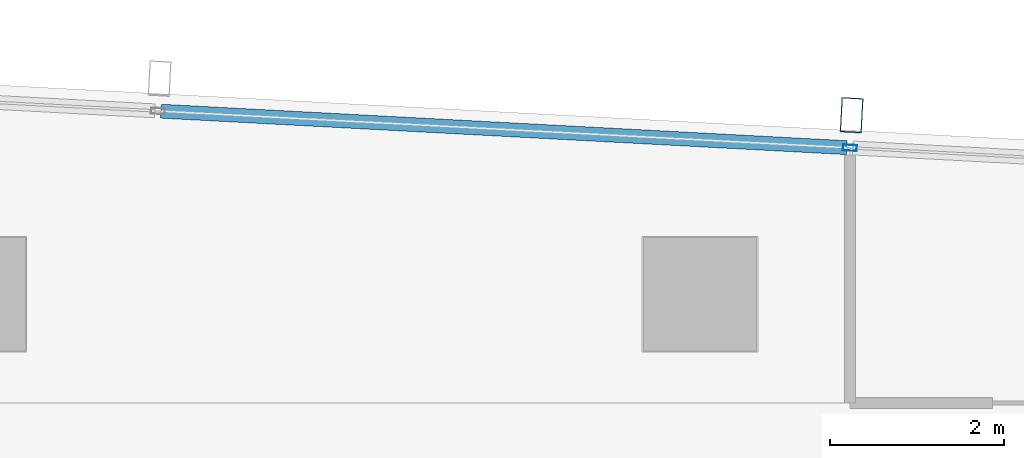
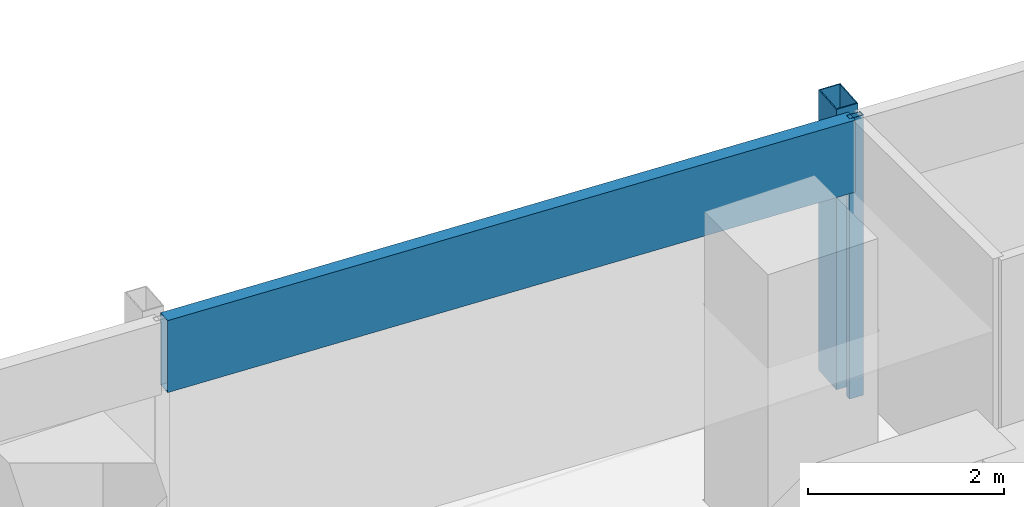
# One storey, part 19 of 30: 3 members, 1 element without a shape of its own.
"""IFC4 building model written with IfcOpenShell, lengths in metres."""

import ifcopenshell
import ifcopenshell.guid

model = None  # the IFC model being written
_history = None  # IfcOwnerHistory: only IFC2X3 demands one
_inside = {}  # id of a spatial element -> (the spatial element, [elements in it])
_under = {}  # id of a project, library or spatial element -> (it, [spatial elements below it])
_declared = {}  # id of a project -> (the project, [libraries it declares])
_typed = {}  # id of a type object -> (the type object, [elements of that type])
_made_of = {}  # id of a material, layer set ... -> (it, [elements and type objects made of it])


def new_model(schema):
    """Start an empty IFC model of exactly this schema.

    Asked for "IFC4X3", IfcOpenShell would pick the latest addendum, in which some entities
    have other attributes; the version numbers below select the first issue.
    IFC2X3 requires an IfcOwnerHistory on every rooted entity: one is made here for all.
    """
    global model, _history
    if schema == "IFC4X3":
        model = ifcopenshell.file(schema_version=(4, 3, 0, 0))
    else:
        model = ifcopenshell.file(schema=schema)
    _inside.clear()
    _under.clear()
    _declared.clear()
    _typed.clear()
    _made_of.clear()
    _history = None
    if model.schema == "IFC2X3":
        org = make("IfcOrganization", Name="unknown")
        user = make(
            "IfcPersonAndOrganization",
            ThePerson=make("IfcPerson", FamilyName="unknown"),
            TheOrganization=org,
        )
        app = make(
            "IfcApplication",
            ApplicationDeveloper=org,
            Version="unknown",
            ApplicationFullName="unknown",
            ApplicationIdentifier="unknown",
        )
        _history = make(
            "IfcOwnerHistory",
            OwningUser=user,
            OwningApplication=app,
            ChangeAction="ADDED",
            CreationDate=0,
        )
    return model


def make(cls, **values):
    """One entity of the class cls with the attributes given. An attribute that is None is left unset."""
    return model.create_entity(
        cls, **{name: value for name, value in values.items() if value is not None}
    )


def rooted(cls, **values):
    """An entity with a GlobalId (a new one), such as an element, a storey or a relation."""
    return make(cls, GlobalId=ifcopenshell.guid.new(), OwnerHistory=_history, **values)


def si_unit(unit_type, name, prefix=None):
    """IfcSIUnit, for example si_unit("LENGTHUNIT", "METRE", prefix="MILLI")."""
    return make("IfcSIUnit", UnitType=unit_type, Prefix=prefix, Name=name)


def assignment(units):
    """IfcUnitAssignment: the units of a project."""
    return None if units is None else make("IfcUnitAssignment", Units=units)


def point(xyz):
    """IfcCartesianPoint."""
    return None if xyz is None else make("IfcCartesianPoint", Coordinates=xyz)


def direction(xyz):
    """IfcDirection."""
    return None if xyz is None else make("IfcDirection", DirectionRatios=xyz)


def frame(location, z_axis=None, x_axis=None):
    """IfcAxis2Placement3D, a coordinate frame: its origin and axes. An axis left out is left unset."""
    return make(
        "IfcAxis2Placement3D",
        Location=point(location),
        Axis=direction(z_axis),
        RefDirection=direction(x_axis),
    )


def frame_2d(location, x_axis=None):
    """IfcAxis2Placement2D, a coordinate frame in the plane: its origin and x axis."""
    return make(
        "IfcAxis2Placement2D", Location=point(location), RefDirection=direction(x_axis)
    )


def origin():
    """The frame at (0, 0, 0) with its axes left unset."""
    return frame((0.0, 0.0, 0.0))


def origin_2d():
    """The frame at (0, 0) in the plane with its x axis left unset."""
    return frame_2d((0.0, 0.0))


def place(relative_to, where):
    """IfcLocalPlacement: puts the frame where relative to a parent placement (None: the world)."""
    return make(
        "IfcLocalPlacement", PlacementRelTo=relative_to, RelativePlacement=where
    )


def context(
    kind, dimensions, precision=None, world=None, true_north=None, identifier=None
):
    """IfcGeometricRepresentationContext, for example the 3D "Model" context."""
    return make(
        "IfcGeometricRepresentationContext",
        ContextIdentifier=identifier,
        ContextType=kind,
        CoordinateSpaceDimension=dimensions,
        Precision=precision,
        WorldCoordinateSystem=world,
        TrueNorth=true_north,
    )


def subcontext(parent, identifier, kind, view, scale=None):
    """IfcGeometricRepresentationSubContext, for example "Body" below "Model"."""
    return make(
        "IfcGeometricRepresentationSubContext",
        ContextIdentifier=identifier,
        ContextType=kind,
        ParentContext=parent,
        TargetScale=scale,
        TargetView=view,
    )


def project(units=None, contexts=None):
    """IfcProject with its units and contexts."""
    return rooted(
        "IfcProject",
        Name="project",
        RepresentationContexts=contexts,
        UnitsInContext=assignment(units),
    )


def spatial(cls, under=None, at=None, **own):
    """A site, building, storey or space (cls), placed at a placement, below another one or the project."""
    s = rooted(cls, ObjectPlacement=at, **own)
    if under is not None:
        _under.setdefault(under.id(), (under, []))[1].append(s)
    return s


def profile(cls, at=None, kind="AREA", **sizes):
    """A parametric profile (cls). Its sizes go by their IFC names, for example OverallWidth=200.0."""
    return make(cls, ProfileType=kind, Position=at, **sizes)


def hollow_rectangle(**sizes):
    """IfcRectangleHollowProfileDef."""
    return profile("IfcRectangleHollowProfileDef", **sizes)


def extrude(swept, where, along, depth):
    """IfcExtrudedAreaSolid: the profile swept, set in the frame where, extruded along a direction by depth."""
    return make(
        "IfcExtrudedAreaSolid",
        SweptArea=swept,
        Position=where,
        ExtrudedDirection=direction(along),
        Depth=depth,
    )


def shape(context_of_items, identifier, shape_type, items):
    """IfcShapeRepresentation: the items that make up one representation, for example the "Body"."""
    return make(
        "IfcShapeRepresentation",
        ContextOfItems=context_of_items,
        RepresentationIdentifier=identifier,
        RepresentationType=shape_type,
        Items=items,
    )


def material(Name=None, Category=None):
    """IfcMaterial."""
    return make("IfcMaterial", Name=Name, Category=Category)


def material_profile(
    of_material, cross_section, Name=None, Category=None, Priority=None
):
    """IfcMaterialProfile: a cross section and its material."""
    return make(
        "IfcMaterialProfile",
        Name=Name,
        Material=of_material,
        Profile=cross_section,
        Priority=Priority,
        Category=Category,
    )


def profile_set(profiles, Name=None, composite=None):
    """IfcMaterialProfileSet."""
    return make(
        "IfcMaterialProfileSet",
        Name=Name,
        MaterialProfiles=profiles,
        CompositeProfile=composite,
    )


def made_of(thing, what):
    """Note that an element or type object is made of a material, layer set ...; save() writes the relation."""
    if what is not None:
        _made_of.setdefault(what.id(), (what, []))[1].append(thing)
    return thing


def type_object(cls, material=None, **own):
    """A type object (cls), such as IfcWallType, which elements share."""
    return made_of(rooted(cls, **own), material)


def element(
    cls,
    number,
    at=None,
    inside=None,
    cuts=None,
    type_object=None,
    material=None,
    context=None,
    identifier="Body",
    shape_type=None,
    held_by="IfcProductDefinitionShape",
    body=None,
    shapes=None,
    **own,
):
    """One element of the class cls, such as IfcWall. Its Tag is "e" and its number.

    at: its placement. inside: the storey or other place that contains it. cuts: it is an
    opening in that element (IfcRelVoidsElement). A single representation is given by context,
    identifier, shape_type and body (its items); several are given by shapes. held_by: the class
    of the entity that holds the representations. save() writes the other relations.
    """
    e = rooted(cls, Tag="e%d" % number, ObjectPlacement=at, **own)
    if body is not None:
        shapes = [shape(context, identifier, shape_type, body)]
    if shapes is not None:
        e.Representation = make(held_by, Representations=shapes)
    if inside is not None:
        _inside.setdefault(inside.id(), (inside, []))[1].append(e)
    if cuts is not None:
        rooted(
            "IfcRelVoidsElement", RelatingBuildingElement=cuts, RelatedOpeningElement=e
        )
    if type_object is not None:
        _typed.setdefault(type_object.id(), (type_object, []))[1].append(e)
    return made_of(e, material)


def aggregate(whole, parts):
    """IfcRelAggregates: a whole, such as a stair, and the parts it consists of."""
    return rooted("IfcRelAggregates", RelatingObject=whole, RelatedObjects=parts)


def save(model, path):
    """Write the relations noted so far, then the file.

    IfcRelAggregates (storeys below a building ...), IfcRelContainedInSpatialStructure (elements
    in a storey), IfcRelDefinesByType, IfcRelAssociatesMaterial and IfcRelDeclares: one each for
    every whole, place, type object, material and project.
    """
    for whole, parts in _under.values():
        aggregate(whole, parts)
    for where, things in _inside.values():
        rooted(
            "IfcRelContainedInSpatialStructure",
            RelatedElements=things,
            RelatingStructure=where,
        )
    for kind, things in _typed.values():
        rooted("IfcRelDefinesByType", RelatedObjects=things, RelatingType=kind)
    for what, things in _made_of.values():
        rooted("IfcRelAssociatesMaterial", RelatedObjects=things, RelatingMaterial=what)
    for by, libraries in _declared.values():
        rooted("IfcRelDeclares", RelatingContext=by, RelatedDefinitions=libraries)
    model.write(path)


model = new_model("IFC4")

# Units and contexts
model_context = context("Model", 3, precision=1e-05, world=origin(), true_north=direction((0.0, 1.0)))
body_context = subcontext(model_context, "Body", "Model", "MODEL_VIEW")
ifc_project = project(units=[si_unit("LENGTHUNIT", "METRE"), si_unit("AREAUNIT", "SQUARE_METRE"), si_unit("VOLUMEUNIT", "CUBIC_METRE"), si_unit("PLANEANGLEUNIT", "RADIAN"), si_unit("MASSUNIT", "GRAM", prefix="KILO")], contexts=[model_context])

# Site, building, storey
site_placement = place(None, origin())
site = spatial("IfcSite", under=ifc_project, at=site_placement, CompositionType="ELEMENT")
building_placement = place(site_placement, origin())
building = spatial("IfcBuilding", under=site, at=building_placement, Name="Rekha Terrace Tower", CompositionType="ELEMENT")
storey_placement = place(building_placement, frame((0.0, 0.0, 265.10009765625)))
storey = spatial("IfcBuildingStorey", under=building, at=storey_placement, Name="L67", CompositionType="ELEMENT", Elevation=265.10009765625)

# Curtain wall, members
ifc_material_1 = material(Name="Aluminium framing", Category="aluminium")
curtain_wall_type = type_object("IfcCurtainWallType", Name="CW3 north unitised glazing", PredefinedType="USERDEFINED", material=ifc_material_1)
curtain_wall_placement = place(storey_placement, origin())
curtain_wall = element("IfcCurtainWall", 1, at=curtain_wall_placement, inside=storey, type_object=curtain_wall_type, Name="CW3 unitised curtain wall", ObjectType="UNITISED CURTAIN WALL", PredefinedType="USERDEFINED")
ifc_material_2 = material(Name="Steel S355 with fluorocarbon finish", Category="steel")
ifc_material_profile_1 = material_profile(ifc_material_2, hollow_rectangle(XDim=0.25, YDim=0.39990234375, WallThickness=0.012451171875, at=origin_2d()), Name="RHS400x250x12.5")
ifc_profile_set_1 = profile_set([ifc_material_profile_1], Name="Steel S355 with fluorocarbon finish")
member_type_1 = type_object("IfcMemberType", Name="BL1 facade blade RHS 400 x 250", PredefinedType="USERDEFINED", material=ifc_profile_set_1)
member_1_placement = place(storey_placement, frame((52.142822265625, 52.456298828125, 0.0), z_axis=(0.0, 0.0, 1.0), x_axis=(-0.998590068481, 0.053083661621, 0.0)))
member_1 = element("IfcMember", 2, at=member_1_placement, type_object=member_type_1, Name="Facade blade", ObjectType="FACADE BLADE", PredefinedType="USERDEFINED", context=body_context, shape_type="SweptSolid", body=[
    extrude(hollow_rectangle(XDim=0.25, YDim=0.39990234375, WallThickness=0.012451171875, at=origin_2d()), origin(), (0.0, 0.0, 1.0), 3.5),
])
ifc_material_3 = material(Name="Aluminium mullion section", Category="aluminium")
ifc_material_profile_2 = material_profile(ifc_material_3, hollow_rectangle(XDim=0.070068359375, YDim=0.159912109375, WallThickness=0.00390625, at=origin_2d()), Name="AL RHS 70x160")
ifc_profile_set_2 = profile_set([ifc_material_profile_2], Name="Aluminium mullion section")
member_type_2 = type_object("IfcMemberType", Name="CW3 mullion RHS 70 x 160", PredefinedType="MULLION", material=ifc_profile_set_2)
member_2_placement = place(storey_placement, frame((52.122802734375, 52.081787109375, 0.0), z_axis=(0.0, 0.0, 1.0), x_axis=(-0.053083275524, -0.998590089005, 0.0)))
member_2 = element("IfcMember", 3, at=member_2_placement, type_object=member_type_2, Name="CW3 mullion 2", PredefinedType="MULLION", context=body_context, shape_type="SweptSolid", body=[
    extrude(hollow_rectangle(XDim=0.070068359375, YDim=0.159912109375, WallThickness=0.00390625, at=origin_2d()), origin(), (0.0, 0.0, 1.0), 3.5),
])
ifc_material_4 = material(Name="Insulated aluminium spandrel box", Category="aluminium")
ifc_material_profile_3 = material_profile(ifc_material_4, hollow_rectangle(XDim=0.159912109375, YDim=0.89990234375, WallThickness=0.0029296875, at=origin_2d()), Name="AL SPANDREL BOX 160x900")
ifc_profile_set_3 = profile_set([ifc_material_profile_3], Name="Insulated aluminium spandrel box")
member_type_3 = type_object("IfcMemberType", Name="CW3 spandrel transom 160 x 900", PredefinedType="USERDEFINED", material=ifc_profile_set_3)
member_3_placement = place(storey_placement, frame((52.087890625, 52.08349609375, 3.0498046875), z_axis=(-0.998589741295, 0.053089816156, 0.0), x_axis=(-0.053089816156, -0.998589741295, 0.0)))
member_3 = element("IfcMember", 4, at=member_3_placement, type_object=member_type_3, Name="CW3 spandrel transom 2", ObjectType="TRANSOM", PredefinedType="USERDEFINED", context=body_context, shape_type="SweptSolid", body=[
    extrude(hollow_rectangle(XDim=0.159912109375, YDim=0.89990234375, WallThickness=0.0029296875, at=origin_2d()), origin(), (0.0, 0.0, 1.0), 7.891357421875),
])
aggregate(curtain_wall, [member_2, member_3, member_1])

save(model, "model.ifc")
